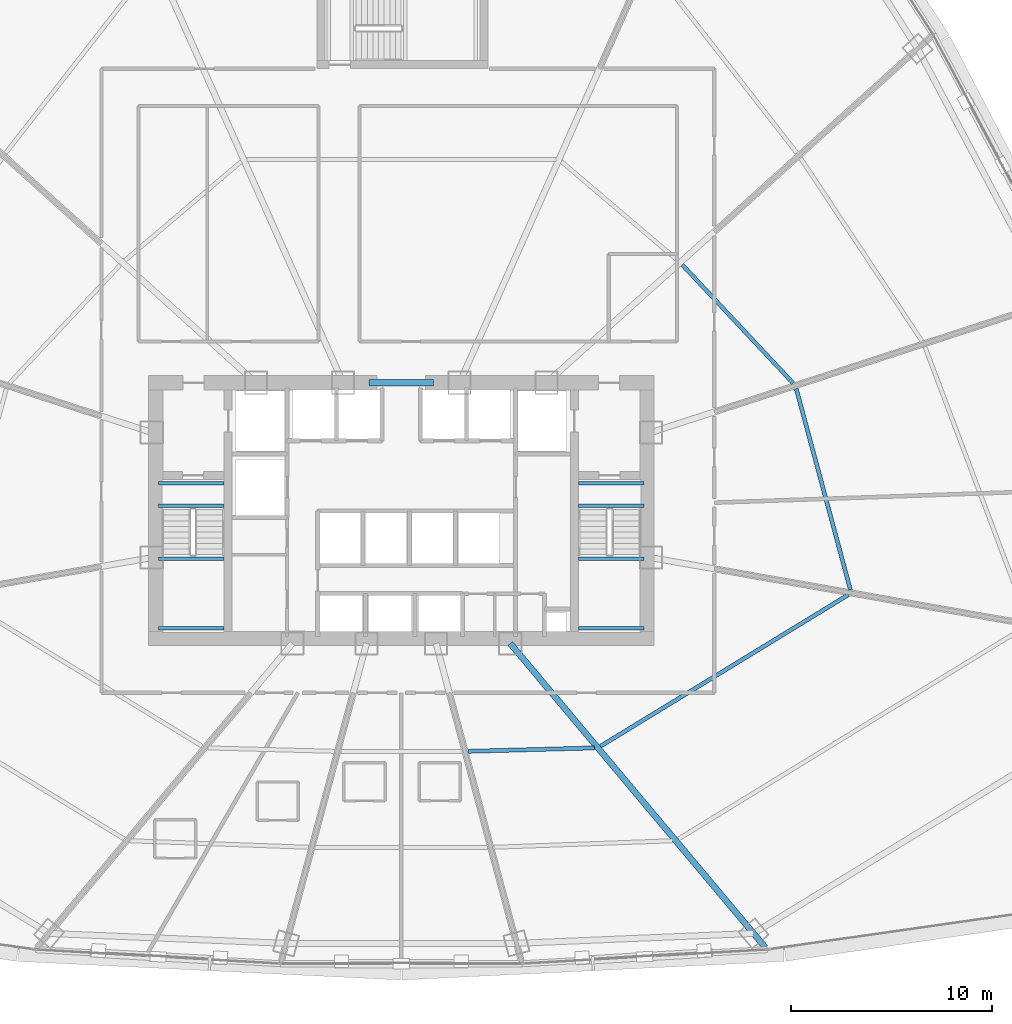
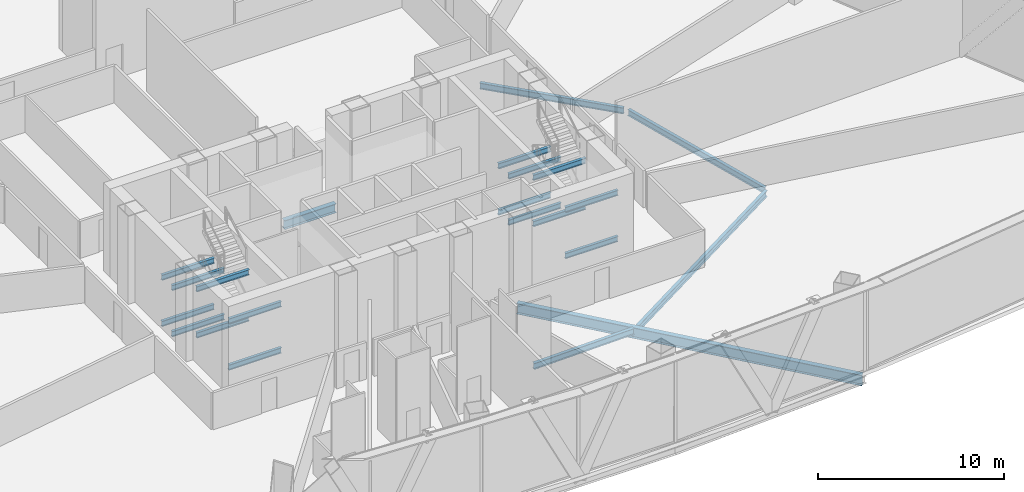
# One storey, part 13 of 41: 22 beams.
"""IFC4 building model written with IfcOpenShell, lengths in metres."""

from ifc_helpers import new_model, si_unit, direction, frame, origin, origin_2d, place, context, subcontext, project, spatial, i_section, extrude, source, transform, mapped, material, material_profile, profile_set, type_object, element, save


model = new_model("IFC4")

# Units and contexts
model_context = context("Model", 3, precision=1e-05, world=origin(), true_north=direction((0.0, 1.0)))
body_context = subcontext(model_context, "Body", "Model", "MODEL_VIEW")
ifc_project = project(units=[si_unit("LENGTHUNIT", "METRE"), si_unit("AREAUNIT", "SQUARE_METRE"), si_unit("VOLUMEUNIT", "CUBIC_METRE"), si_unit("PLANEANGLEUNIT", "RADIAN"), si_unit("MASSUNIT", "GRAM", prefix="KILO"), si_unit("THERMODYNAMICTEMPERATUREUNIT", "KELVIN"), si_unit("POWERUNIT", "WATT")], contexts=[model_context])

# Site, building, storey
site_placement = place(None, origin())
site = spatial("IfcSite", under=ifc_project, at=site_placement, CompositionType="ELEMENT")
building_placement = place(site_placement, origin())
building = spatial("IfcBuilding", under=site, at=building_placement, Name="Yunzhuo Pagoda Commons", CompositionType="ELEMENT")
storey_placement = place(building_placement, frame((0.0, 0.0, 70.330078125)))
storey = spatial("IfcBuildingStorey", under=building, at=storey_placement, Name="L18", CompositionType="ELEMENT", Elevation=70.330078125)

# Beams
ifc_material_1 = material(Name="Structural steel Q355B", Category="steel")
ifc_material_profile_1 = material_profile(ifc_material_1, i_section(OverallWidth=0.175048828125, OverallDepth=0.35009765625, WebThickness=0.007080078125, FlangeThickness=0.010986328125, at=origin_2d()), Name="Structural steel Q355B")
ifc_profile_set_1 = profile_set([ifc_material_profile_1], Name="Structural steel Q355B")
beam_type_1 = type_object("IfcBeamType", Name="B-JS2 Joist HN 350x175x7x11", PredefinedType="JOIST", material=ifc_profile_set_1)
shared_shape_1 = source(origin(), body_context, "Body", "SweptSolid", [
    extrude(i_section(OverallWidth=0.175048828125, OverallDepth=0.35009765625, WebThickness=0.007080078125, FlangeThickness=0.010986328125, at=origin_2d()), origin(), (0.0, 0.0, 1.0), 3.25),
])
for number, where, z_axis, x_axis, name in (
    (1, (35.949951171875, 28.0, 1.137451171875), (1.0, 0.0, 0.0), (0.0, 1.0, 0.0), "L18 ST1 landing support beam 22A"),
    (2, (35.949951171875, 31.4599609375, 1.137451171875), (1.0, 0.0, 0.0), (0.0, 1.0, 0.0), "L18 ST1 landing support beam 22B"),
    (3, (35.949951171875, 34.10009765625, 2.650146484375), (1.0, 0.0, 0.0), (0.0, 1.0, 0.0), "L18 ST1 landing support beam 23A"),
    (4, (35.949951171875, 35.199951171875, 2.650146484375), (1.0, 0.0, 0.0), (0.0, 1.0, 0.0), "L18 ST1 landing support beam 23B"),
    (5, (35.949951171875, 28.0, 4.162353515625), (1.0, 0.0, 0.0), (0.0, 1.0, 0.0), "L18 ST1 landing support beam 24A"),
    (6, (35.949951171875, 31.4599609375, 4.162353515625), (1.0, 0.0, 0.0), (0.0, 1.0, 0.0), "L18 ST1 landing support beam 24B"),
    (7, (35.949951171875, 34.10009765625, -0.375), (1.0, 0.0, 0.0), (0.0, 1.0, 0.0), "L18 ST1 landing support beam 122A"),
    (8, (35.949951171875, 35.199951171875, -0.375), (1.0, 0.0, 0.0), (0.0, 1.0, 0.0), "L18 ST1 landing support beam 122B"),
    (9, (56.800048828125, 28.0, 1.137451171875), (1.0, 0.0, 0.0), (0.0, 1.0, 0.0), "L18 ST2 landing support beam 22A"),
    (10, (56.800048828125, 31.4599609375, 1.137451171875), (1.0, 0.0, 0.0), (0.0, 1.0, 0.0), "L18 ST2 landing support beam 22B"),
    (11, (56.800048828125, 34.10009765625, 2.650146484375), (1.0, 0.0, 0.0), (0.0, 1.0, 0.0), "L18 ST2 landing support beam 23A"),
    (12, (56.800048828125, 35.199951171875, 2.650146484375), (1.0, 0.0, 0.0), (0.0, 1.0, 0.0), "L18 ST2 landing support beam 23B"),
    (13, (56.800048828125, 28.0, 4.162353515625), (1.0, 0.0, 0.0), (0.0, 1.0, 0.0), "L18 ST2 landing support beam 24A"),
    (14, (56.800048828125, 31.4599609375, 4.162353515625), (1.0, 0.0, 0.0), (0.0, 1.0, 0.0), "L18 ST2 landing support beam 24B"),
    (15, (56.800048828125, 34.10009765625, -0.375), (1.0, 0.0, 0.0), (0.0, 1.0, 0.0), "L18 ST2 landing support beam 122A"),
    (16, (56.800048828125, 35.199951171875, -0.375), (1.0, 0.0, 0.0), (0.0, 1.0, 0.0), "L18 ST2 landing support beam 122B"),
):
    element("IfcBeam", number, at=place(storey_placement, frame(where, z_axis=z_axis, x_axis=x_axis)), inside=storey, type_object=beam_type_1, Name=name, PredefinedType="JOIST", context=body_context, shape_type="MappedRepresentation", body=[
        mapped(shared_shape_1, transform((0.0, 0.0, 0.0), scale=1.0)),
    ])
ifc_material_2 = material(Name="Structural steel Q420B", Category="steel")
ifc_material_profile_2 = material_profile(ifc_material_2, i_section(OverallWidth=0.300048828125, OverallDepth=0.587890625, WebThickness=0.011962890625, FlangeThickness=0.02001953125, at=origin_2d()), Name="Structural steel Q420B")
ifc_profile_set_2 = profile_set([ifc_material_profile_2], Name="Structural steel Q420B")
beam_type_2 = type_object("IfcBeamType", Name="B-CPL Beam HM 588x300x12x20", PredefinedType="BEAM", material=ifc_profile_set_2)
shared_shape_2 = source(origin(), body_context, "Body", "SweptSolid", [
    extrude(i_section(OverallWidth=0.300048828125, OverallDepth=0.587890625, WebThickness=0.011962890625, FlangeThickness=0.02001953125, at=origin_2d()), origin(), (0.0, 0.0, 1.0), 3.2001953125),
])
beam_1_placement = place(storey_placement, frame((46.39990234375, 40.199951171875, -0.55419921875), z_axis=(1.0, 0.0, 0.0), x_axis=(0.0, 1.0, 0.0)))
element("IfcBeam", 17, at=beam_1_placement, inside=storey, type_object=beam_type_2, Name="L18 core coupling girder", PredefinedType="BEAM", context=body_context, shape_type="MappedRepresentation", body=[
    mapped(shared_shape_2, transform((0.0, 0.0, 0.0), scale=1.0)),
])
ifc_material_profile_3 = material_profile(ifc_material_1, i_section(OverallWidth=0.199951171875, OverallDepth=0.39990234375, WebThickness=0.008056640625, FlangeThickness=0.012939453125, at=origin_2d()), Name="Structural steel Q355B")
ifc_profile_set_3 = profile_set([ifc_material_profile_3], Name="Structural steel Q355B")
beam_type_3 = type_object("IfcBeamType", Name="B-JS1 Joist HN 400x200x8x13", PredefinedType="JOIST", material=ifc_profile_set_3)
shared_shape_3 = source(origin(), body_context, "Body", "SweptSolid", [
    extrude(i_section(OverallWidth=0.199951171875, OverallDepth=0.39990234375, WebThickness=0.008056640625, FlangeThickness=0.012939453125, at=origin_2d()), origin(), (0.0, 0.0, 1.0), 6.283203125),
])
beam_2_placement = place(storey_placement, frame((51.32421875, 21.89111328125, -0.4599609375), z_axis=(0.999638450037, 0.026888086735, 0.0), x_axis=(-0.026888086735, 0.999638450037, 0.0)))
element("IfcBeam", 18, at=beam_2_placement, inside=storey, type_object=beam_type_3, Name="L18 composite ring joist 1.3", PredefinedType="JOIST", context=body_context, shape_type="MappedRepresentation", body=[
    mapped(shared_shape_3, transform((0.0, 0.0, 0.0), scale=1.0)),
])
shared_shape_4 = source(origin(), body_context, "Body", "SweptSolid", [
    extrude(i_section(OverallWidth=0.199951171875, OverallDepth=0.39990234375, WebThickness=0.008056640625, FlangeThickness=0.012939453125, at=origin_2d()), origin(), (0.0, 0.0, 1.0), 14.4365234375),
])
beam_3_placement = place(storey_placement, frame((57.8994140625, 22.14697265625, -0.4599609375), z_axis=(0.85325633277, 0.521491735876, 0.0), x_axis=(-0.521491735876, 0.85325633277, 0.0)))
element("IfcBeam", 19, at=beam_3_placement, inside=storey, type_object=beam_type_3, Name="L18 composite ring joist 1.4", PredefinedType="JOIST", context=body_context, shape_type="MappedRepresentation", body=[
    mapped(shared_shape_4, transform((0.0, 0.0, 0.0), scale=1.0)),
])
shared_shape_5 = source(origin(), body_context, "Body", "SweptSolid", [
    extrude(i_section(OverallWidth=0.199951171875, OverallDepth=0.39990234375, WebThickness=0.008056640625, FlangeThickness=0.012939453125, at=origin_2d()), origin(), (0.0, 0.0, 1.0), 10.351806640625),
])
beam_4_placement = place(storey_placement, frame((70.311767578125, 29.912109375, -0.4599609375), z_axis=(-0.260208595802, 0.965552425646, 0.0), x_axis=(-0.965552425646, -0.260208595802, 0.0)))
element("IfcBeam", 20, at=beam_4_placement, inside=storey, type_object=beam_type_3, Name="L18 composite ring joist 1.5", PredefinedType="JOIST", context=body_context, shape_type="MappedRepresentation", body=[
    mapped(shared_shape_5, transform((0.0, 0.0, 0.0), scale=1.0)),
])
shared_shape_6 = source(origin(), body_context, "Body", "SweptSolid", [
    extrude(i_section(OverallWidth=0.199951171875, OverallDepth=0.39990234375, WebThickness=0.008056640625, FlangeThickness=0.012939453125, at=origin_2d()), origin(), (0.0, 0.0, 1.0), 8.055908203125),
])
beam_5_placement = place(storey_placement, frame((67.468017578125, 40.177001953125, -0.4599609375), z_axis=(-0.683432879027, 0.730013355949, 0.0), x_axis=(-0.730013355949, -0.683432879027, 0.0)))
element("IfcBeam", 21, at=beam_5_placement, inside=storey, type_object=beam_type_3, Name="L18 composite ring joist 1.6", PredefinedType="JOIST", context=body_context, shape_type="MappedRepresentation", body=[
    mapped(shared_shape_6, transform((0.0, 0.0, 0.0), scale=1.0)),
])
ifc_material_profile_4 = material_profile(ifc_material_1, i_section(OverallWidth=0.300048828125, OverallDepth=0.699951171875, WebThickness=0.012939453125, FlangeThickness=0.02392578125, at=origin_2d()), Name="Structural steel Q355B")
ifc_profile_set_4 = profile_set([ifc_material_profile_4], Name="Structural steel Q355B")
beam_type_4 = type_object("IfcBeamType", Name="B-RG1 Beam HN 700x300x13x24", PredefinedType="BEAM", material=ifc_profile_set_4)
shared_shape_7 = source(origin(), body_context, "Body", "SweptSolid", [
    extrude(i_section(OverallWidth=0.300048828125, OverallDepth=0.699951171875, WebThickness=0.012939453125, FlangeThickness=0.02392578125, at=origin_2d()), origin(), (0.0, 0.0, 1.0), 19.7001953125),
])
beam_6_placement = place(storey_placement, frame((66.0751953125, 12.15869140625, -0.610107421875), z_axis=(-0.642786848986, 0.766045081422, 0.0), x_axis=(-0.766045081422, -0.642786848986, 0.0)))
element("IfcBeam", 22, at=beam_6_placement, inside=storey, type_object=beam_type_4, Name="L18 radial floor girder F1C4", PredefinedType="BEAM", context=body_context, shape_type="MappedRepresentation", body=[
    mapped(shared_shape_7, transform((0.0, 0.0, 0.0), scale=1.0)),
])

save(model, "model.ifc")
